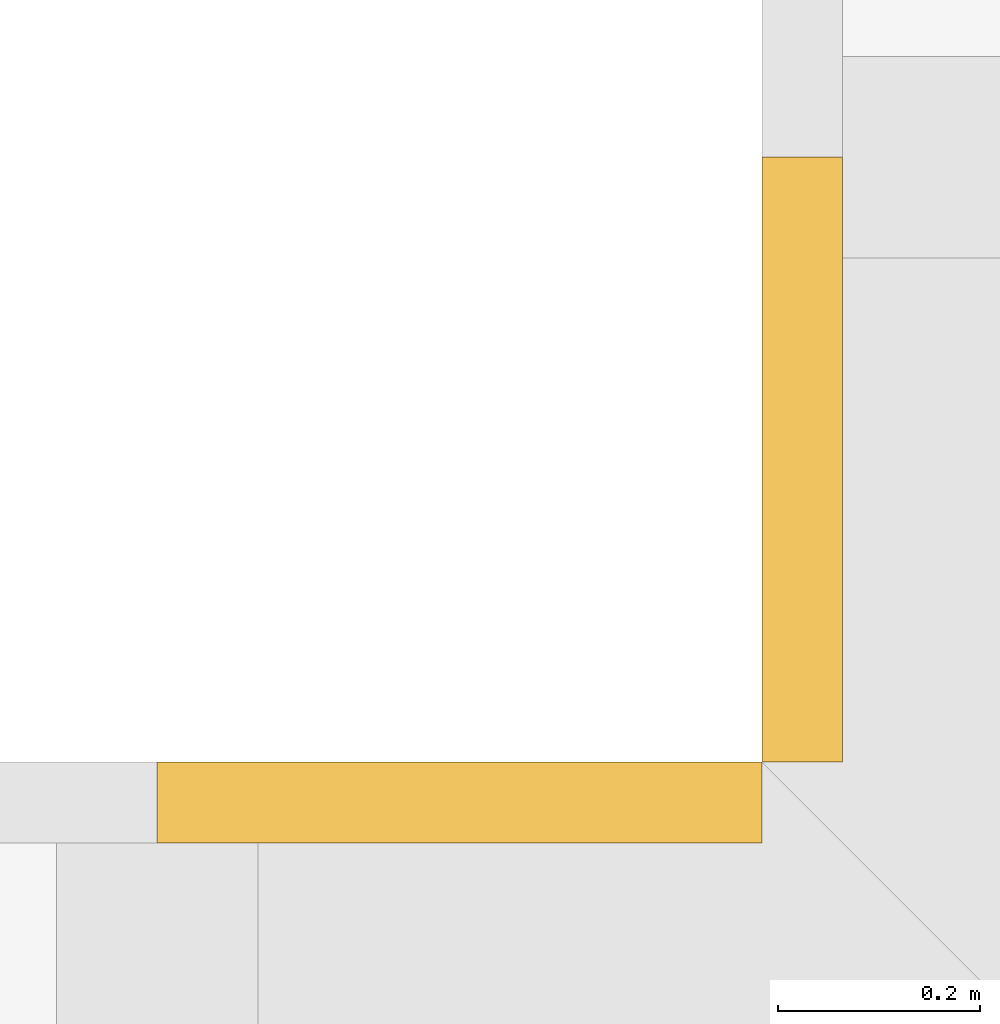
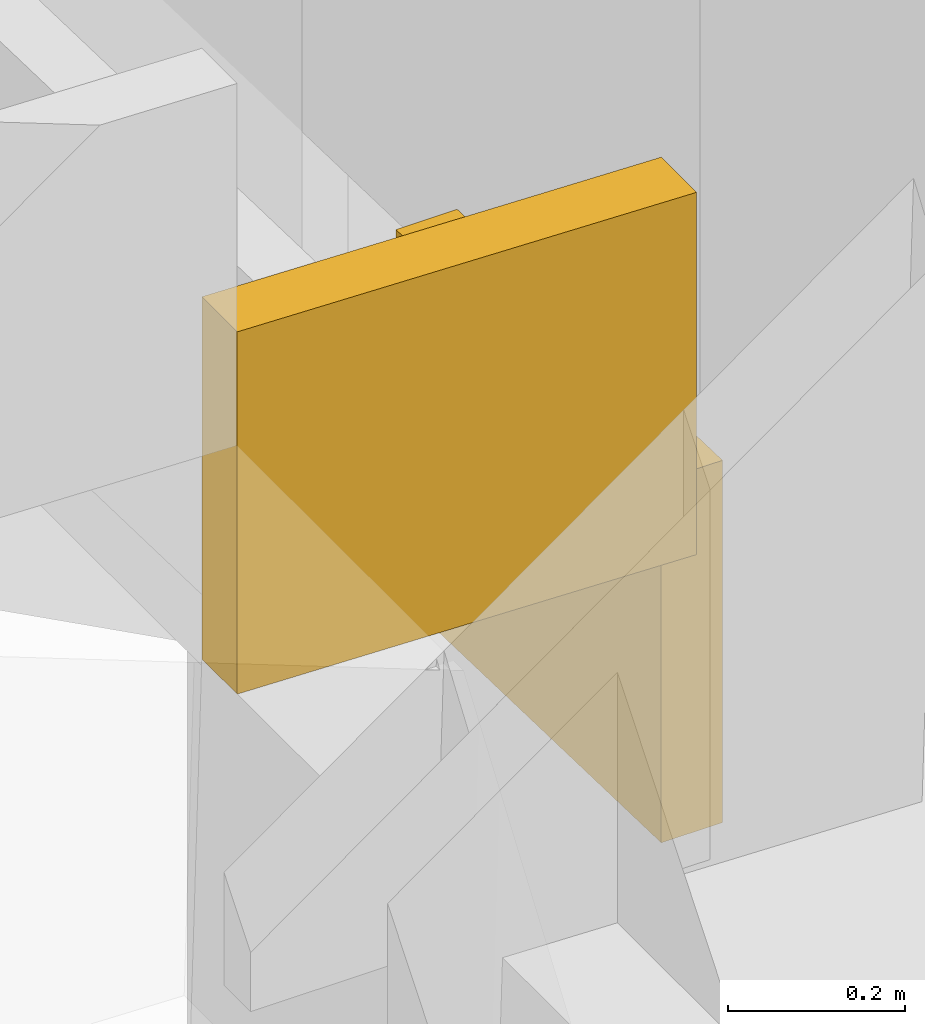
# One storey, part 29 of 30: 2 coverings.
"""IFC4 building model written with IfcOpenShell, lengths in metres."""

from ifc_helpers import new_model, si_unit, direction, frame, origin, place, context, subcontext, project, spatial, polyline, outline, extrude, material, layer, layer_set, type_object, element, save


model = new_model("IFC4")

# Units and contexts
model_context = context("Model", 3, precision=1e-05, world=origin(), true_north=direction((0.0, 1.0)))
body_context = subcontext(model_context, "Body", "Model", "MODEL_VIEW")
ifc_project = project(units=[si_unit("LENGTHUNIT", "METRE"), si_unit("AREAUNIT", "SQUARE_METRE"), si_unit("VOLUMEUNIT", "CUBIC_METRE"), si_unit("PLANEANGLEUNIT", "RADIAN"), si_unit("MASSUNIT", "GRAM", prefix="KILO")], contexts=[model_context])

# Site, building, storey
site_placement = place(None, origin())
site = spatial("IfcSite", under=ifc_project, at=site_placement, CompositionType="ELEMENT")
building_placement = place(site_placement, origin())
building = spatial("IfcBuilding", under=site, at=building_placement, Name="Saffron Gate Tower", CompositionType="ELEMENT")
storey_placement = place(building_placement, frame((0.0, 0.0, 127.64990234375)))
storey = spatial("IfcBuildingStorey", under=building, at=storey_placement, Name="L30", CompositionType="ELEMENT", Elevation=127.64990234375)

# Coverings
ifc_material = material(Name="Timber, thermally modified ash", Category="wood")
ifc_layer = layer(ifc_material, 0.080078125)
ifc_layer_set = layer_set([ifc_layer], Name="LD2 ledge planter trough")
covering_type = type_object("IfcCoveringType", Name="LD2 ledge planter trough", PredefinedType="CLADDING", material=ifc_layer_set)
covering_1_placement = place(storey_placement, frame((50.39990234375, 73.800048828125, 2.39501953125), z_axis=(-1.0, 0.0, 0.0), x_axis=(0.0, -0.999583081391, 0.028873229772)))
element("IfcCovering", 1, at=covering_1_placement, inside=storey, type_object=covering_type, Name="LEDGE planter trough", PredefinedType="CLADDING", context=body_context, shape_type="SweptSolid", body=[
    extrude(outline(polyline([(0.0, 0.0), (0.6003479524834376, -3.469446951953614e-18), (0.6147845673692678, 0.4997915406953566), (0.014436614885830073, 0.4997915406953566), (0.0, 0.0)])), origin(), (0.0, 0.0, -1.0), 0.080078125),
])
covering_2_placement = place(storey_placement, frame((50.39990234375, 73.199951171875, 2.85888671875), z_axis=(0.0, 1.0, 0.0), x_axis=(-0.999582742162, 0.0, 0.028884971385)))
element("IfcCovering", 2, at=covering_2_placement, inside=storey, type_object=covering_type, Name="LEDGE planter trough", PredefinedType="CLADDING", context=body_context, shape_type="SweptSolid", body=[
    extrude(outline(polyline([(0.0, 0.0), (0.6001039136866089, 0.0), (0.614546399379222, 0.4997913710809928), (0.014442485692613144, 0.49979137108099286), (0.0, 0.0)])), origin(), (0.0, 0.0, -1.0), 0.080078125),
])

save(model, "model.ifc")
